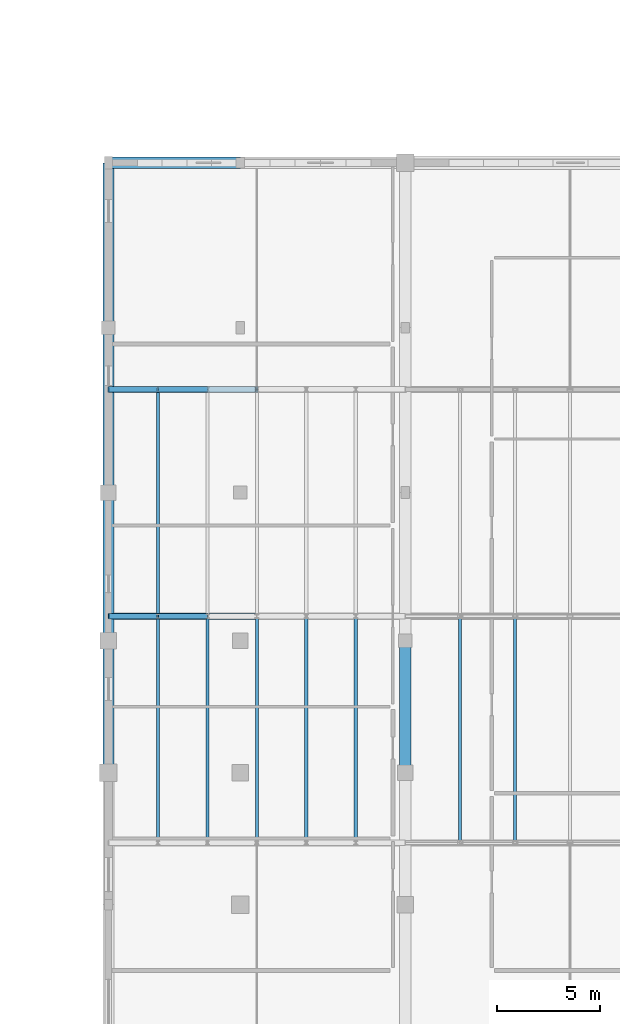
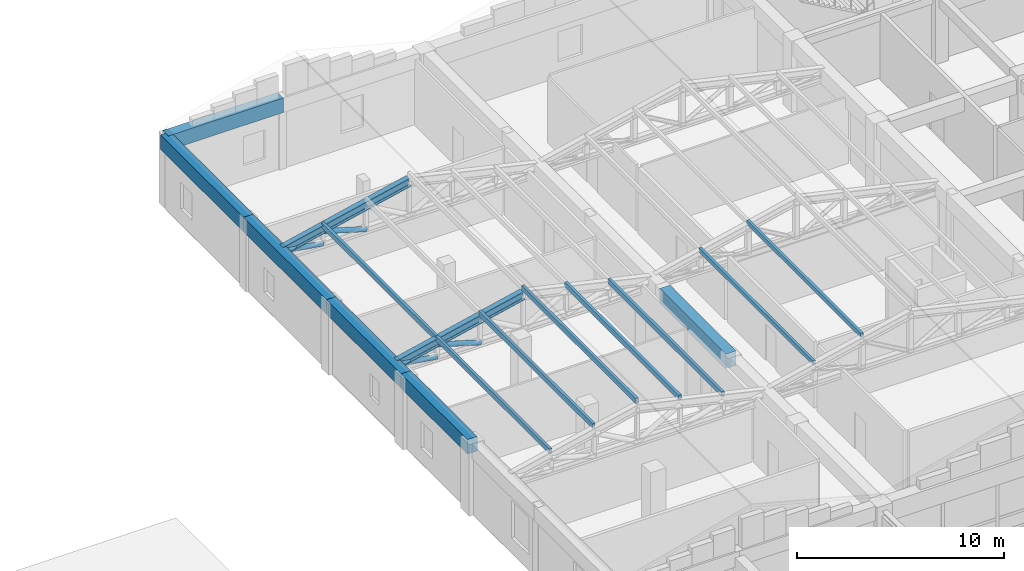
# One storey, part 4 of 35: 14 members, 6 beams.
"""IFC4 building model written with IfcOpenShell, lengths in metres."""

from ifc_helpers import new_model, si_unit, direction, frame, origin, origin_2d, place, context, subcontext, project, spatial, rectangle, hollow_rectangle, hollow_circle, i_section, extrude, material, material_profile, profile_set, type_object, element, save


model = new_model("IFC4")

# Units and contexts
model_context = context("Model", 3, precision=1e-05, world=origin(), true_north=direction((0.0, 1.0)))
body_context = subcontext(model_context, "Body", "Model", "MODEL_VIEW")
ifc_project = project(units=[si_unit("LENGTHUNIT", "METRE"), si_unit("AREAUNIT", "SQUARE_METRE"), si_unit("VOLUMEUNIT", "CUBIC_METRE"), si_unit("PLANEANGLEUNIT", "RADIAN"), si_unit("MASSUNIT", "GRAM", prefix="KILO")], contexts=[model_context])

# Site, building, storey
site_placement = place(None, origin())
site = spatial("IfcSite", under=ifc_project, at=site_placement, CompositionType="ELEMENT")
building_placement = place(site_placement, origin())
building = spatial("IfcBuilding", under=site, at=building_placement, Name="Vellmiral Cinema and Media Centre", CompositionType="ELEMENT")
storey_placement = place(building_placement, frame((0.0, 0.0, 15.60009765625)))
storey = spatial("IfcBuildingStorey", under=building, at=storey_placement, Name="L03", CompositionType="ELEMENT", Elevation=15.60009765625)

# Members
ifc_material_1 = material(Name="Steel S355", Category="steel")
ifc_material_profile_1 = material_profile(ifc_material_1, hollow_rectangle(XDim=0.14990234375, YDim=0.25, WallThickness=0.010009765625, at=origin_2d()), Name="RHS 250x150x10.0")
ifc_profile_set_1 = profile_set([ifc_material_profile_1], Name="Steel S355")
member_type_1 = type_object("IfcMemberType", Name="PRL-RHS250", PredefinedType="PURLIN", material=ifc_profile_set_1)
for number, where, z_axis, x_axis, name in (
    (1, (65.066650390625, 62.199951171875, 4.7294921875), (0.0, 1.0, 0.0), (-1.0, 0.0, 0.0), "Roof Purlin VR-08E.1.1"),
    (2, (67.7333984375, 62.199951171875, 5.419189453125), (0.0, 1.0, 0.0), (-1.0, 0.0, 0.0), "Roof Purlin VR-08E.2.1"),
):
    element("IfcMember", number, at=place(storey_placement, frame(where, z_axis=z_axis, x_axis=x_axis)), inside=storey, type_object=member_type_1, Name=name, PredefinedType="PURLIN", context=body_context, shape_type="SweptSolid", body=[
        extrude(hollow_rectangle(XDim=0.14990234375, YDim=0.25, WallThickness=0.010009765625, at=origin_2d()), origin(), (0.0, 0.0, 1.0), 11.0),
    ])
ifc_material_2 = material(Name="Steel S355", Category="steel")
ifc_material_profile_2 = material_profile(ifc_material_2, hollow_rectangle(XDim=0.14990234375, YDim=0.300048828125, WallThickness=0.010009765625, at=origin_2d()), Name="RHS 300x150x10.0")
ifc_profile_set_2 = profile_set([ifc_material_profile_2], Name="Steel S355")
member_type_2 = type_object("IfcMemberType", Name="PRL-RHS300", PredefinedType="PURLIN", material=ifc_profile_set_2)
for number, where, z_axis, x_axis, name in (
    (3, (50.39990234375, 62.199951171875, 4.657958984375), (0.0, 1.0, 0.0), (-1.0, 0.0, 0.0), "Roof Purlin VR-08W.1.1"),
    (4, (50.39990234375, 73.199951171875, 4.657958984375), (0.0, 1.0, 0.0), (-1.0, 0.0, 0.0), "Roof Purlin VR-08W.1.2"),
    (5, (52.800048828125, 62.199951171875, 5.301025390625), (0.0, 1.0, 0.0), (-1.0, 0.0, 0.0), "Roof Purlin VR-08W.2.1"),
    (6, (55.199951171875, 62.199951171875, 5.944091796875), (0.0, 1.0, 0.0), (-1.0, 0.0, 0.0), "Roof Purlin VR-08W.3.1"),
    (7, (57.60009765625, 62.199951171875, 5.301025390625), (0.0, 1.0, 0.0), (-1.0, 0.0, 0.0), "Roof Purlin VR-08W.4.1"),
    (8, (60.0, 62.199951171875, 4.657958984375), (0.0, 1.0, 0.0), (-1.0, 0.0, 0.0), "Roof Purlin VR-08W.5.1"),
):
    element("IfcMember", number, at=place(storey_placement, frame(where, z_axis=z_axis, x_axis=x_axis)), inside=storey, type_object=member_type_2, Name=name, PredefinedType="PURLIN", context=body_context, shape_type="SweptSolid", body=[
        extrude(hollow_rectangle(XDim=0.14990234375, YDim=0.300048828125, WallThickness=0.010009765625, at=origin_2d()), origin(), (0.0, 0.0, 1.0), 11.0),
    ])

# Beams
ifc_material_3 = material(Name="Concrete C40/50", Category="concrete")
ifc_material_profile_3 = material_profile(ifc_material_3, rectangle(XDim=0.550048828125, YDim=0.85009765625, at=origin_2d()), Name="RC 550x850")
ifc_profile_set_3 = profile_set([ifc_material_profile_3], Name="Concrete C40/50")
beam_type = type_object("IfcBeamType", Name="RING-BM-550x850", PredefinedType="BEAM", material=ifc_profile_set_3)
for number, where, z_axis, x_axis, name in (
    (9, (48.0, 95.199951171875, 3.77490234375), (1.0, 0.0, 0.0), (0.0, 1.0, 0.0), "Central Media Library West Barrel Vault Ring Beam 03"),
    (10, (48.0, 65.60009765625, 3.77490234375), (0.0, 1.0, 0.0), (-1.0, 0.0, 0.0), "Central Media Library West Barrel Vault Ring Beam 07"),
):
    element("IfcBeam", number, at=place(storey_placement, frame(where, z_axis=z_axis, x_axis=x_axis)), inside=storey, type_object=beam_type, Name=name, PredefinedType="BEAM", context=body_context, shape_type="SweptSolid", body=[
        extrude(rectangle(XDim=0.550048828125, YDim=0.85009765625, at=origin_2d()), origin(), (0.0, 0.0, 1.0), 6.39990234375),
    ])
beam_1_placement = place(storey_placement, frame((48.0, 72.0, 3.77490234375), z_axis=(0.0, 1.0, 0.0), x_axis=(-1.0, 0.0, 0.0)))
element("IfcBeam", 11, at=beam_1_placement, inside=storey, type_object=beam_type, Name="Central Media Library West Barrel Vault Ring Beam 08", PredefinedType="BEAM", context=body_context, shape_type="SweptSolid", body=[
    extrude(rectangle(XDim=0.550048828125, YDim=0.85009765625, at=origin_2d()), origin(), (0.0, 0.0, 1.0), 7.199951171875),
])
for number, where, z_axis, x_axis, name in (
    (12, (48.0, 79.199951171875, 3.77490234375), (0.0, 1.0, 0.0), (-1.0, 0.0, 0.0), "Central Media Library West Barrel Vault Ring Beam 09"),
    (13, (48.0, 87.199951171875, 3.77490234375), (0.0, 1.0, 0.0), (-1.0, 0.0, 0.0), "Central Media Library West Barrel Vault Ring Beam 10"),
):
    element("IfcBeam", number, at=place(storey_placement, frame(where, z_axis=z_axis, x_axis=x_axis)), inside=storey, type_object=beam_type, Name=name, PredefinedType="BEAM", context=body_context, shape_type="SweptSolid", body=[
        extrude(rectangle(XDim=0.550048828125, YDim=0.85009765625, at=origin_2d()), origin(), (0.0, 0.0, 1.0), 8.0),
    ])
beam_2_placement = place(storey_placement, frame((62.39990234375, 65.60009765625, 3.77490234375), z_axis=(0.0, 1.0, 0.0), x_axis=(-1.0, 0.0, 0.0)))
element("IfcBeam", 14, at=beam_2_placement, inside=storey, type_object=beam_type, Name="Central Media Library West Barrel Vault Ring Beam 13", PredefinedType="BEAM", context=body_context, shape_type="SweptSolid", body=[
    extrude(rectangle(XDim=0.550048828125, YDim=0.85009765625, at=origin_2d()), origin(), (0.0, 0.0, 1.0), 6.39990234375),
])

# Members
ifc_material_4 = material(Name="Steel S355", Category="steel")
ifc_material_profile_4 = material_profile(ifc_material_4, hollow_circle(Radius=0.136474609375, WallThickness=0.012451171875, at=origin_2d()), Name="CHS 273.0x12.5")
ifc_profile_set_4 = profile_set([ifc_material_profile_4], Name="Steel S355")
member_type_3 = type_object("IfcMemberType", Name="TBR-CHS273", PredefinedType="BRACE", material=ifc_profile_set_4)
member_1_placement = place(storey_placement, frame((48.0, 73.199951171875, 3.919921875), z_axis=(0.988315839708, 0.0, -0.152419818209), x_axis=(0.0, 1.0, 0.0)))
element("IfcMember", 15, at=member_1_placement, inside=storey, type_object=member_type_3, Name="Roof Truss TR-08.2 Diagonal 1", PredefinedType="BRACE", context=body_context, shape_type="SweptSolid", body=[
    extrude(hollow_circle(Radius=0.136474609375, WallThickness=0.012451171875, at=origin_2d()), origin(), (0.0, 0.0, 1.0), 2.42822265625),
])
member_2_placement = place(storey_placement, frame((50.39990234375, 73.199951171875, 4.26806640625), z_axis=(0.958021855052, 0.0, -0.286695178269), x_axis=(0.0, 1.0, 0.0)))
element("IfcMember", 16, at=member_2_placement, inside=storey, type_object=member_type_3, Name="Roof Truss TR-08.2 Diagonal 2", PredefinedType="BRACE", context=body_context, shape_type="SweptSolid", body=[
    extrude(hollow_circle(Radius=0.136474609375, WallThickness=0.012451171875, at=origin_2d()), origin(), (0.0, 0.0, 1.0), 2.50537109375),
])
member_3_placement = place(storey_placement, frame((48.0, 84.199951171875, 3.919921875), z_axis=(0.988315839708, 0.0, -0.152419818209), x_axis=(0.0, 1.0, 0.0)))
element("IfcMember", 17, at=member_3_placement, inside=storey, type_object=member_type_3, Name="Roof Truss TR-08.3 Diagonal 1", PredefinedType="BRACE", context=body_context, shape_type="SweptSolid", body=[
    extrude(hollow_circle(Radius=0.136474609375, WallThickness=0.012451171875, at=origin_2d()), origin(), (0.0, 0.0, 1.0), 2.42822265625),
])
member_4_placement = place(storey_placement, frame((50.39990234375, 84.199951171875, 4.26806640625), z_axis=(0.958021855052, 0.0, -0.286695178269), x_axis=(0.0, 1.0, 0.0)))
element("IfcMember", 18, at=member_4_placement, inside=storey, type_object=member_type_3, Name="Roof Truss TR-08.3 Diagonal 2", PredefinedType="BRACE", context=body_context, shape_type="SweptSolid", body=[
    extrude(hollow_circle(Radius=0.136474609375, WallThickness=0.012451171875, at=origin_2d()), origin(), (0.0, 0.0, 1.0), 2.50537109375),
])
ifc_material_5 = material(Name="Steel S355", Category="steel")
ifc_material_profile_5 = material_profile(ifc_material_5, i_section(OverallWidth=0.300048828125, OverallDepth=0.5, WebThickness=0.014404296875, FlangeThickness=0.028076171875, FilletRadius=0.027099609375, at=origin_2d()), Name="HEB 500")
ifc_profile_set_5 = profile_set([ifc_material_profile_5], Name="Steel S355")
member_type_4 = type_object("IfcMemberType", Name="TCH-HEB500", PredefinedType="CHORD", material=ifc_profile_set_5)
for number, where, z_axis, x_axis, name in (
    (19, (48.0, 73.199951171875, 3.919921875), (0.975193562013, 0.0, 0.221353826731), (0.0, 1.0, 0.0), "Roof Truss TR-08.2 Top Chord W"),
    (20, (48.0, 84.199951171875, 3.919921875), (0.975193562013, 0.0, 0.221353826731), (0.0, 1.0, 0.0), "Roof Truss TR-08.3 Top Chord W"),
):
    element("IfcMember", number, at=place(storey_placement, frame(where, z_axis=z_axis, x_axis=x_axis)), inside=storey, type_object=member_type_4, Name=name, PredefinedType="CHORD", context=body_context, shape_type="SweptSolid", body=[
        extrude(i_section(OverallWidth=0.300048828125, OverallDepth=0.5, WebThickness=0.014404296875, FlangeThickness=0.028076171875, FilletRadius=0.027099609375, at=origin_2d()), origin(), (0.0, 0.0, 1.0), 7.383056640625),
    ])

save(model, "model.ifc")
